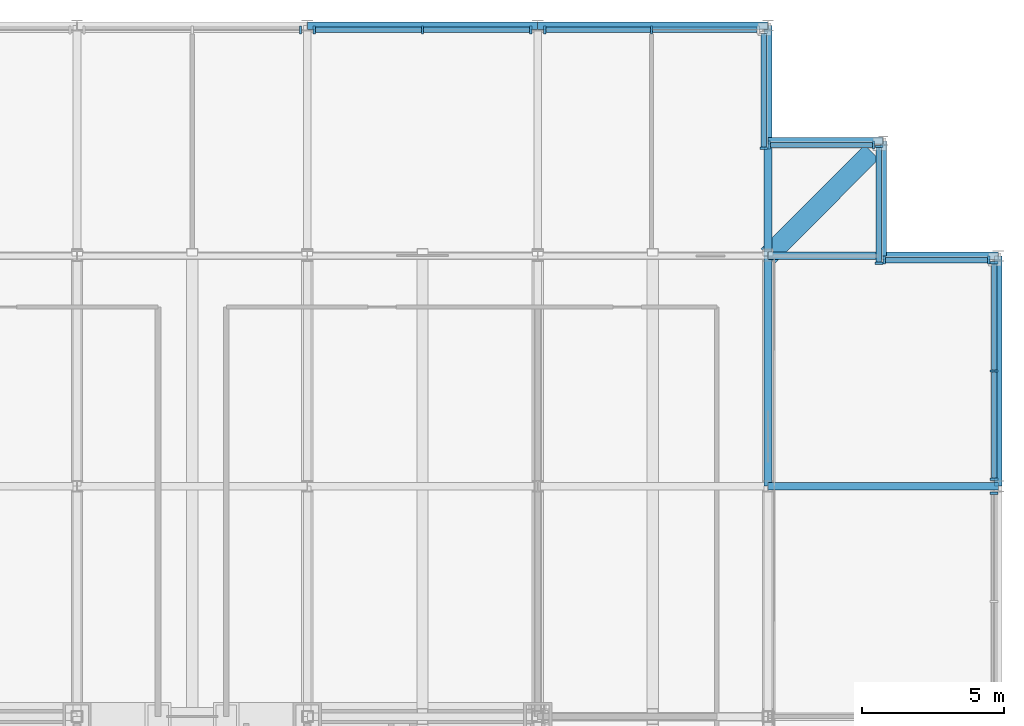
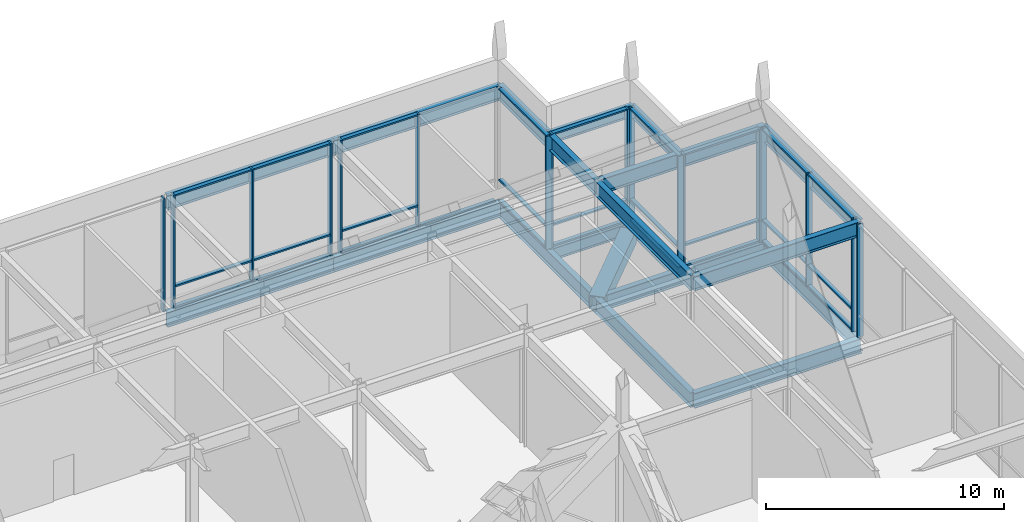
# One storey, part 12 of 22: 45 members, 19 beams, 9 elements without a shape of their own.
"""IFC4 building model written with IfcOpenShell, lengths in metres."""

import ifcopenshell
import ifcopenshell.guid

model = None  # the IFC model being written
_history = None  # IfcOwnerHistory: only IFC2X3 demands one
_inside = {}  # id of a spatial element -> (the spatial element, [elements in it])
_under = {}  # id of a project, library or spatial element -> (it, [spatial elements below it])
_declared = {}  # id of a project -> (the project, [libraries it declares])
_typed = {}  # id of a type object -> (the type object, [elements of that type])
_made_of = {}  # id of a material, layer set ... -> (it, [elements and type objects made of it])


def new_model(schema):
    """Start an empty IFC model of exactly this schema.

    Asked for "IFC4X3", IfcOpenShell would pick the latest addendum, in which some entities
    have other attributes; the version numbers below select the first issue.
    IFC2X3 requires an IfcOwnerHistory on every rooted entity: one is made here for all.
    """
    global model, _history
    if schema == "IFC4X3":
        model = ifcopenshell.file(schema_version=(4, 3, 0, 0))
    else:
        model = ifcopenshell.file(schema=schema)
    _inside.clear()
    _under.clear()
    _declared.clear()
    _typed.clear()
    _made_of.clear()
    _history = None
    if model.schema == "IFC2X3":
        org = make("IfcOrganization", Name="unknown")
        user = make(
            "IfcPersonAndOrganization",
            ThePerson=make("IfcPerson", FamilyName="unknown"),
            TheOrganization=org,
        )
        app = make(
            "IfcApplication",
            ApplicationDeveloper=org,
            Version="unknown",
            ApplicationFullName="unknown",
            ApplicationIdentifier="unknown",
        )
        _history = make(
            "IfcOwnerHistory",
            OwningUser=user,
            OwningApplication=app,
            ChangeAction="ADDED",
            CreationDate=0,
        )
    return model


def make(cls, **values):
    """One entity of the class cls with the attributes given. An attribute that is None is left unset."""
    return model.create_entity(
        cls, **{name: value for name, value in values.items() if value is not None}
    )


def rooted(cls, **values):
    """An entity with a GlobalId (a new one), such as an element, a storey or a relation."""
    return make(cls, GlobalId=ifcopenshell.guid.new(), OwnerHistory=_history, **values)


def si_unit(unit_type, name, prefix=None):
    """IfcSIUnit, for example si_unit("LENGTHUNIT", "METRE", prefix="MILLI")."""
    return make("IfcSIUnit", UnitType=unit_type, Prefix=prefix, Name=name)


def assignment(units):
    """IfcUnitAssignment: the units of a project."""
    return None if units is None else make("IfcUnitAssignment", Units=units)


def point(xyz):
    """IfcCartesianPoint."""
    return None if xyz is None else make("IfcCartesianPoint", Coordinates=xyz)


def direction(xyz):
    """IfcDirection."""
    return None if xyz is None else make("IfcDirection", DirectionRatios=xyz)


def frame(location, z_axis=None, x_axis=None):
    """IfcAxis2Placement3D, a coordinate frame: its origin and axes. An axis left out is left unset."""
    return make(
        "IfcAxis2Placement3D",
        Location=point(location),
        Axis=direction(z_axis),
        RefDirection=direction(x_axis),
    )


def frame_2d(location, x_axis=None):
    """IfcAxis2Placement2D, a coordinate frame in the plane: its origin and x axis."""
    return make(
        "IfcAxis2Placement2D", Location=point(location), RefDirection=direction(x_axis)
    )


def origin():
    """The frame at (0, 0, 0) with its axes left unset."""
    return frame((0.0, 0.0, 0.0))


def origin_2d():
    """The frame at (0, 0) in the plane with its x axis left unset."""
    return frame_2d((0.0, 0.0))


def place(relative_to, where):
    """IfcLocalPlacement: puts the frame where relative to a parent placement (None: the world)."""
    return make(
        "IfcLocalPlacement", PlacementRelTo=relative_to, RelativePlacement=where
    )


def context(
    kind, dimensions, precision=None, world=None, true_north=None, identifier=None
):
    """IfcGeometricRepresentationContext, for example the 3D "Model" context."""
    return make(
        "IfcGeometricRepresentationContext",
        ContextIdentifier=identifier,
        ContextType=kind,
        CoordinateSpaceDimension=dimensions,
        Precision=precision,
        WorldCoordinateSystem=world,
        TrueNorth=true_north,
    )


def subcontext(parent, identifier, kind, view, scale=None):
    """IfcGeometricRepresentationSubContext, for example "Body" below "Model"."""
    return make(
        "IfcGeometricRepresentationSubContext",
        ContextIdentifier=identifier,
        ContextType=kind,
        ParentContext=parent,
        TargetScale=scale,
        TargetView=view,
    )


def project(units=None, contexts=None):
    """IfcProject with its units and contexts."""
    return rooted(
        "IfcProject",
        Name="project",
        RepresentationContexts=contexts,
        UnitsInContext=assignment(units),
    )


def spatial(cls, under=None, at=None, **own):
    """A site, building, storey or space (cls), placed at a placement, below another one or the project."""
    s = rooted(cls, ObjectPlacement=at, **own)
    if under is not None:
        _under.setdefault(under.id(), (under, []))[1].append(s)
    return s


def profile(cls, at=None, kind="AREA", **sizes):
    """A parametric profile (cls). Its sizes go by their IFC names, for example OverallWidth=200.0."""
    return make(cls, ProfileType=kind, Position=at, **sizes)


def rectangle(**sizes):
    """IfcRectangleProfileDef."""
    return profile("IfcRectangleProfileDef", **sizes)


def hollow_rectangle(**sizes):
    """IfcRectangleHollowProfileDef."""
    return profile("IfcRectangleHollowProfileDef", **sizes)


def i_section(**sizes):
    """IfcIShapeProfileDef."""
    return profile("IfcIShapeProfileDef", **sizes)


def extrude(swept, where, along, depth):
    """IfcExtrudedAreaSolid: the profile swept, set in the frame where, extruded along a direction by depth."""
    return make(
        "IfcExtrudedAreaSolid",
        SweptArea=swept,
        Position=where,
        ExtrudedDirection=direction(along),
        Depth=depth,
    )


def shape(context_of_items, identifier, shape_type, items):
    """IfcShapeRepresentation: the items that make up one representation, for example the "Body"."""
    return make(
        "IfcShapeRepresentation",
        ContextOfItems=context_of_items,
        RepresentationIdentifier=identifier,
        RepresentationType=shape_type,
        Items=items,
    )


def material(Name=None, Category=None):
    """IfcMaterial."""
    return make("IfcMaterial", Name=Name, Category=Category)


def material_profile(
    of_material, cross_section, Name=None, Category=None, Priority=None
):
    """IfcMaterialProfile: a cross section and its material."""
    return make(
        "IfcMaterialProfile",
        Name=Name,
        Material=of_material,
        Profile=cross_section,
        Priority=Priority,
        Category=Category,
    )


def profile_set(profiles, Name=None, composite=None):
    """IfcMaterialProfileSet."""
    return make(
        "IfcMaterialProfileSet",
        Name=Name,
        MaterialProfiles=profiles,
        CompositeProfile=composite,
    )


def made_of(thing, what):
    """Note that an element or type object is made of a material, layer set ...; save() writes the relation."""
    if what is not None:
        _made_of.setdefault(what.id(), (what, []))[1].append(thing)
    return thing


def type_object(cls, material=None, **own):
    """A type object (cls), such as IfcWallType, which elements share."""
    return made_of(rooted(cls, **own), material)


def element(
    cls,
    number,
    at=None,
    inside=None,
    cuts=None,
    type_object=None,
    material=None,
    context=None,
    identifier="Body",
    shape_type=None,
    held_by="IfcProductDefinitionShape",
    body=None,
    shapes=None,
    **own,
):
    """One element of the class cls, such as IfcWall. Its Tag is "e" and its number.

    at: its placement. inside: the storey or other place that contains it. cuts: it is an
    opening in that element (IfcRelVoidsElement). A single representation is given by context,
    identifier, shape_type and body (its items); several are given by shapes. held_by: the class
    of the entity that holds the representations. save() writes the other relations.
    """
    e = rooted(cls, Tag="e%d" % number, ObjectPlacement=at, **own)
    if body is not None:
        shapes = [shape(context, identifier, shape_type, body)]
    if shapes is not None:
        e.Representation = make(held_by, Representations=shapes)
    if inside is not None:
        _inside.setdefault(inside.id(), (inside, []))[1].append(e)
    if cuts is not None:
        rooted(
            "IfcRelVoidsElement", RelatingBuildingElement=cuts, RelatedOpeningElement=e
        )
    if type_object is not None:
        _typed.setdefault(type_object.id(), (type_object, []))[1].append(e)
    return made_of(e, material)


def aggregate(whole, parts):
    """IfcRelAggregates: a whole, such as a stair, and the parts it consists of."""
    return rooted("IfcRelAggregates", RelatingObject=whole, RelatedObjects=parts)


def save(model, path):
    """Write the relations noted so far, then the file.

    IfcRelAggregates (storeys below a building ...), IfcRelContainedInSpatialStructure (elements
    in a storey), IfcRelDefinesByType, IfcRelAssociatesMaterial and IfcRelDeclares: one each for
    every whole, place, type object, material and project.
    """
    for whole, parts in _under.values():
        aggregate(whole, parts)
    for where, things in _inside.values():
        rooted(
            "IfcRelContainedInSpatialStructure",
            RelatedElements=things,
            RelatingStructure=where,
        )
    for kind, things in _typed.values():
        rooted("IfcRelDefinesByType", RelatedObjects=things, RelatingType=kind)
    for what, things in _made_of.values():
        rooted("IfcRelAssociatesMaterial", RelatedObjects=things, RelatingMaterial=what)
    for by, libraries in _declared.values():
        rooted("IfcRelDeclares", RelatingContext=by, RelatedDefinitions=libraries)
    model.write(path)


model = new_model("IFC4")

# Units and contexts
model_context = context("Model", 3, precision=1e-05, world=origin(), true_north=direction((0.0, 1.0)))
body_context = subcontext(model_context, "Body", "Model", "MODEL_VIEW")
ifc_project = project(units=[si_unit("LENGTHUNIT", "METRE"), si_unit("AREAUNIT", "SQUARE_METRE"), si_unit("VOLUMEUNIT", "CUBIC_METRE"), si_unit("PLANEANGLEUNIT", "RADIAN"), si_unit("MASSUNIT", "GRAM", prefix="KILO")], contexts=[model_context])

# Site, building, storey
site_placement = place(None, origin())
site = spatial("IfcSite", under=ifc_project, at=site_placement, CompositionType="ELEMENT")
building_placement = place(site_placement, origin())
building = spatial("IfcBuilding", under=site, at=building_placement, Name="Kopane Lantern Tower", CompositionType="ELEMENT")
storey_placement = place(building_placement, frame((0.0, 0.0, 303.89990234375)))
storey = spatial("IfcBuildingStorey", under=building, at=storey_placement, Name="L77", CompositionType="ELEMENT", Elevation=303.89990234375)

# Beams
ifc_material_1 = material(Name="Steel S355JR", Category="steel")
ifc_material_profile_1 = material_profile(ifc_material_1, hollow_rectangle(XDim=0.699951171875, YDim=0.699951171875, WallThickness=0.06005859375, at=origin_2d()), Name="BOX 700x700x60")
ifc_profile_set_1 = profile_set([ifc_material_profile_1], Name="Steel S355JR")
beam_type_1 = type_object("IfcBeamType", Name="CORNER TIE BEAM BOX 700x700x60", PredefinedType="BEAM", material=ifc_profile_set_1)
beam_1_placement = place(storey_placement, frame((52.25244140625, 60.3525390625, -0.559814453125), z_axis=(-0.707083148333, -0.70713041325, 0.0), x_axis=(0.70713041325, -0.707083148333, 0.0)))
element("IfcBeam", 1, at=beam_1_placement, inside=storey, type_object=beam_type_1, Name="Corner Tie Beam L77", PredefinedType="BEAM", context=body_context, shape_type="SweptSolid", body=[
    extrude(hollow_rectangle(XDim=0.699951171875, YDim=0.699951171875, WallThickness=0.06005859375, at=origin_2d()), origin(), (0.0, 0.0, 1.0), 5.165283203125),
])
ifc_material_2 = material(Name="Steel S355JR", Category="steel")
ifc_material_profile_2 = material_profile(ifc_material_2, i_section(OverallWidth=0.22900390625, OverallDepth=0.6123046875, WebThickness=0.011962890625, FlangeThickness=0.01953125, FilletRadius=0.0126953125, at=origin_2d()), Name="UB 610x229x125")
ifc_profile_set_2 = profile_set([ifc_material_profile_2], Name="Steel S355JR")
beam_type_2 = type_object("IfcBeamType", Name="EDGE BEAM UB 610x229x125", PredefinedType="BEAM", material=ifc_profile_set_2)
for number, where, z_axis, x_axis, name in (
    (2, (52.496337890625, 60.75, -0.51611328125), (-1.0, 0.0, 0.0), (0.0, -1.0, 0.0), "Edge Beam L77"),
    (3, (52.64990234375, 60.59619140625, -0.51611328125), (0.0, -1.0, 0.0), (1.0, 0.0, 0.0), "Edge Beam L77"),
):
    element("IfcBeam", number, at=place(storey_placement, frame(where, z_axis=z_axis, x_axis=x_axis)), inside=storey, type_object=beam_type_2, Name=name, PredefinedType="BEAM", context=body_context, shape_type="SweptSolid", body=[
        extrude(i_section(OverallWidth=0.22900390625, OverallDepth=0.6123046875, WebThickness=0.011962890625, FlangeThickness=0.01953125, FilletRadius=0.0126953125, at=origin_2d()), origin(), (0.0, 0.0, 1.0), 3.896240234375),
    ])
beam_2_placement = place(storey_placement, frame((52.64990234375, 60.75, 5.493896484375), z_axis=(-1.0, 0.0, 0.0), x_axis=(0.0, -1.0, 0.0)))
element("IfcBeam", 4, at=beam_2_placement, inside=storey, type_object=beam_type_2, Name="Edge Beam roof", PredefinedType="BEAM", context=body_context, shape_type="SweptSolid", body=[
    extrude(i_section(OverallWidth=0.22900390625, OverallDepth=0.6123046875, WebThickness=0.011962890625, FlangeThickness=0.01953125, FilletRadius=0.0126953125, at=origin_2d()), origin(), (0.0, 0.0, 1.0), 4.0498046875),
])
beam_3_placement = place(storey_placement, frame((52.64990234375, 60.75, 5.493896484375), z_axis=(0.0, -1.0, 0.0), x_axis=(1.0, 0.0, 0.0)))
element("IfcBeam", 5, at=beam_3_placement, inside=storey, type_object=beam_type_2, Name="Edge Beam roof", PredefinedType="BEAM", context=body_context, shape_type="SweptSolid", body=[
    extrude(i_section(OverallWidth=0.22900390625, OverallDepth=0.6123046875, WebThickness=0.011962890625, FlangeThickness=0.01953125, FilletRadius=0.0126953125, at=origin_2d()), origin(), (0.0, 0.0, 1.0), 4.050048828125),
])
ifc_material_3 = material(Name="Steel S355JR", Category="steel")
ifc_material_profile_3 = material_profile(ifc_material_3, i_section(OverallWidth=0.2666015625, OverallDepth=0.76220703125, WebThickness=0.014404296875, FlangeThickness=0.021484375, FilletRadius=0.0166015625, at=origin_2d()), Name="UB 762x267x173")
ifc_profile_set_3 = profile_set([ifc_material_profile_3], Name="Steel S355JR")
beam_type_3 = type_object("IfcBeamType", Name="GIRDER UB 762x267x173", PredefinedType="BEAM", material=ifc_profile_set_3)
for number, where, z_axis, x_axis, name in (
    (6, (32.39990234375, 64.800048828125, -0.591064453125), (1.0, 0.0, 0.0), (0.0, 1.0, 0.0), "Girder L77"),
    (7, (40.5, 64.800048828125, -0.591064453125), (1.0, 0.0, 0.0), (0.0, 1.0, 0.0), "Girder L77"),
):
    element("IfcBeam", number, at=place(storey_placement, frame(where, z_axis=z_axis, x_axis=x_axis)), inside=storey, type_object=beam_type_3, Name=name, PredefinedType="BEAM", context=body_context, shape_type="SweptSolid", body=[
        extrude(i_section(OverallWidth=0.2666015625, OverallDepth=0.76220703125, WebThickness=0.014404296875, FlangeThickness=0.021484375, FilletRadius=0.0166015625, at=origin_2d()), origin(), (0.0, 0.0, 1.0), 8.10009765625),
    ])
for number, where, z_axis, x_axis, name in (
    (8, (48.60009765625, 48.60009765625, -0.591064453125), (0.0, 1.0, 0.0), (-1.0, 0.0, 0.0), "Girder L77"),
    (9, (48.60009765625, 48.60009765625, -0.591064453125), (1.0, 0.0, 0.0), (0.0, 1.0, 0.0), "Girder L77"),
):
    element("IfcBeam", number, at=place(storey_placement, frame(where, z_axis=z_axis, x_axis=x_axis)), inside=storey, type_object=beam_type_3, Name=name, PredefinedType="BEAM", context=body_context, shape_type="SweptSolid", body=[
        extrude(i_section(OverallWidth=0.2666015625, OverallDepth=0.76220703125, WebThickness=0.014404296875, FlangeThickness=0.021484375, FilletRadius=0.0166015625, at=origin_2d()), origin(), (0.0, 0.0, 1.0), 8.099853515625),
    ])
beam_4_placement = place(storey_placement, frame((48.60009765625, 56.699951171875, -0.591064453125), z_axis=(0.0, 1.0, 0.0), x_axis=(-1.0, 0.0, 0.0)))
element("IfcBeam", 10, at=beam_4_placement, inside=storey, type_object=beam_type_3, Name="Girder L77", PredefinedType="BEAM", context=body_context, shape_type="SweptSolid", body=[
    extrude(i_section(OverallWidth=0.2666015625, OverallDepth=0.76220703125, WebThickness=0.014404296875, FlangeThickness=0.021484375, FilletRadius=0.0166015625, at=origin_2d()), origin(), (0.0, 0.0, 1.0), 8.10009765625),
])
for number, where, z_axis, x_axis, name in (
    (11, (48.60009765625, 56.699951171875, -0.591064453125), (1.0, 0.0, 0.0), (0.0, 1.0, 0.0), "Girder L77"),
    (12, (56.699951171875, 48.60009765625, -0.591064453125), (0.0, 1.0, 0.0), (-1.0, 0.0, 0.0), "Girder L77"),
):
    element("IfcBeam", number, at=place(storey_placement, frame(where, z_axis=z_axis, x_axis=x_axis)), inside=storey, type_object=beam_type_3, Name=name, PredefinedType="BEAM", context=body_context, shape_type="SweptSolid", body=[
        extrude(i_section(OverallWidth=0.2666015625, OverallDepth=0.76220703125, WebThickness=0.014404296875, FlangeThickness=0.021484375, FilletRadius=0.0166015625, at=origin_2d()), origin(), (0.0, 0.0, 1.0), 8.099853515625),
    ])

# Curtain wall, member
ifc_material_4 = material(Name="Aluminium and clear glass", Category="aluminium")
curtain_wall_type = type_object("IfcCurtainWallType", Name="CURTAIN WALL CW6 LANTERN CROWN", PredefinedType="USERDEFINED", material=ifc_material_4)
curtain_wall_1_placement = place(storey_placement, origin())
curtain_wall_1 = element("IfcCurtainWall", 13, at=curtain_wall_1_placement, inside=storey, type_object=curtain_wall_type, Name="Curtain wall CW6 E L77", ObjectType="CURTAIN WALL", PredefinedType="USERDEFINED")
ifc_material_5 = material(Name="Aluminium", Category="aluminium")
ifc_material_profile_4 = material_profile(ifc_material_5, rectangle(XDim=0.080078125, YDim=0.280029296875, at=origin_2d()), Name="AL 80x280")
ifc_profile_set_4 = profile_set([ifc_material_profile_4], Name="Aluminium")
member_type_1 = type_object("IfcMemberType", Name="MULLION CW6-M 80x280", PredefinedType="MULLION", material=ifc_profile_set_4)
member_1_placement = place(storey_placement, frame((56.550048828125, 48.358154296875, 0.0), z_axis=(0.0, 0.0, 1.0), x_axis=(0.0, 1.0, 0.0)))
member_1 = element("IfcMember", 14, at=member_1_placement, type_object=member_type_1, Name="CW6 mullion 3", PredefinedType="MULLION", context=body_context, shape_type="SweptSolid", body=[
    extrude(rectangle(XDim=0.080078125, YDim=0.280029296875, at=origin_2d()), origin(), (0.0, 0.0, 1.0), 5.800048828125),
])
aggregate(curtain_wall_1, [member_1])

# Curtain wall, members
curtain_wall_2_placement = place(storey_placement, origin())
curtain_wall_2 = element("IfcCurtainWall", 15, at=curtain_wall_2_placement, inside=storey, type_object=curtain_wall_type, Name="Curtain wall CW6 E L77", ObjectType="CURTAIN WALL", PredefinedType="USERDEFINED")
member_2_placement = place(storey_placement, frame((56.550048828125, 48.841796875, 0.0), z_axis=(0.0, 0.0, 1.0), x_axis=(0.0, 1.0, 0.0)))
member_2 = element("IfcMember", 16, at=member_2_placement, type_object=member_type_1, Name="CW6 mullion 1", PredefinedType="MULLION", context=body_context, shape_type="SweptSolid", body=[
    extrude(rectangle(XDim=0.080078125, YDim=0.280029296875, at=origin_2d()), origin(), (0.0, 0.0, 1.0), 5.800048828125),
])
member_3_placement = place(storey_placement, frame((56.550048828125, 52.64990234375, 0.0), z_axis=(0.0, 0.0, 1.0), x_axis=(0.0, 1.0, 0.0)))
member_3 = element("IfcMember", 17, at=member_3_placement, type_object=member_type_1, Name="CW6 mullion 2", PredefinedType="MULLION", context=body_context, shape_type="SweptSolid", body=[
    extrude(rectangle(XDim=0.080078125, YDim=0.280029296875, at=origin_2d()), origin(), (0.0, 0.0, 1.0), 5.800048828125),
])
member_4_placement = place(storey_placement, frame((56.550048828125, 56.458251953125, 0.0), z_axis=(0.0, 0.0, 1.0), x_axis=(0.0, 1.0, 0.0)))
member_4 = element("IfcMember", 18, at=member_4_placement, type_object=member_type_1, Name="CW6 mullion 3", PredefinedType="MULLION", context=body_context, shape_type="SweptSolid", body=[
    extrude(rectangle(XDim=0.080078125, YDim=0.280029296875, at=origin_2d()), origin(), (0.0, 0.0, 1.0), 5.800048828125),
])

curtain_wall_3_placement = place(storey_placement, origin())
curtain_wall_3 = element("IfcCurtainWall", 19, at=curtain_wall_3_placement, inside=storey, type_object=curtain_wall_type, Name="Curtain wall CW6 N L77", ObjectType="CURTAIN WALL", PredefinedType="USERDEFINED")
member_5_placement = place(storey_placement, frame((56.360107421875, 56.550048828125, 0.0), z_axis=(0.0, 0.0, 1.0), x_axis=(-1.0, 0.0, 0.0)))
member_5 = element("IfcMember", 20, at=member_5_placement, type_object=member_type_1, Name="CW6 mullion 1", PredefinedType="MULLION", context=body_context, shape_type="SweptSolid", body=[
    extrude(rectangle(XDim=0.080078125, YDim=0.280029296875, at=origin_2d()), origin(), (0.0, 0.0, 1.0), 5.800048828125),
])
member_6_placement = place(storey_placement, frame((52.68994140625, 56.550048828125, 0.0), z_axis=(0.0, 0.0, 1.0), x_axis=(-1.0, 0.0, 0.0)))
member_6 = element("IfcMember", 21, at=member_6_placement, type_object=member_type_1, Name="CW6 mullion 2", PredefinedType="MULLION", context=body_context, shape_type="SweptSolid", body=[
    extrude(rectangle(XDim=0.080078125, YDim=0.280029296875, at=origin_2d()), origin(), (0.0, 0.0, 1.0), 5.800048828125),
])

curtain_wall_4_placement = place(storey_placement, origin())
curtain_wall_4 = element("IfcCurtainWall", 22, at=curtain_wall_4_placement, inside=storey, type_object=curtain_wall_type, Name="Curtain wall CW6 E L77", ObjectType="CURTAIN WALL", PredefinedType="USERDEFINED")
member_7_placement = place(storey_placement, frame((52.5, 56.43994140625, 0.0), z_axis=(0.0, 0.0, 1.0), x_axis=(0.0, 1.0, 0.0)))
member_7 = element("IfcMember", 23, at=member_7_placement, type_object=member_type_1, Name="CW6 mullion 1", PredefinedType="MULLION", context=body_context, shape_type="SweptSolid", body=[
    extrude(rectangle(XDim=0.080078125, YDim=0.280029296875, at=origin_2d()), origin(), (0.0, 0.0, 1.0), 5.800048828125),
])
member_8_placement = place(storey_placement, frame((52.5, 60.547607421875, 0.0), z_axis=(0.0, 0.0, 1.0), x_axis=(0.0, 1.0, 0.0)))
member_8 = element("IfcMember", 24, at=member_8_placement, type_object=member_type_1, Name="CW6 mullion 2", PredefinedType="MULLION", context=body_context, shape_type="SweptSolid", body=[
    extrude(rectangle(XDim=0.080078125, YDim=0.280029296875, at=origin_2d()), origin(), (0.0, 0.0, 1.0), 5.800048828125),
])

curtain_wall_5_placement = place(storey_placement, origin())
curtain_wall_5 = element("IfcCurtainWall", 25, at=curtain_wall_5_placement, inside=storey, type_object=curtain_wall_type, Name="Curtain wall CW6 N L77", ObjectType="CURTAIN WALL", PredefinedType="USERDEFINED")
member_9_placement = place(storey_placement, frame((52.31005859375, 60.60009765625, 0.0), z_axis=(0.0, 0.0, 1.0), x_axis=(-1.0, 0.0, 0.0)))
member_9 = element("IfcMember", 26, at=member_9_placement, type_object=member_type_1, Name="CW6 mullion 1", PredefinedType="MULLION", context=body_context, shape_type="SweptSolid", body=[
    extrude(rectangle(XDim=0.080078125, YDim=0.280029296875, at=origin_2d()), origin(), (0.0, 0.0, 1.0), 5.800048828125),
])
member_10_placement = place(storey_placement, frame((48.639892578125, 60.60009765625, 0.0), z_axis=(0.0, 0.0, 1.0), x_axis=(-1.0, 0.0, 0.0)))
member_10 = element("IfcMember", 27, at=member_10_placement, type_object=member_type_1, Name="CW6 mullion 2", PredefinedType="MULLION", context=body_context, shape_type="SweptSolid", body=[
    extrude(rectangle(XDim=0.080078125, YDim=0.280029296875, at=origin_2d()), origin(), (0.0, 0.0, 1.0), 5.800048828125),
])

# Curtain wall, member
curtain_wall_6_placement = place(storey_placement, origin())
curtain_wall_6 = element("IfcCurtainWall", 28, at=curtain_wall_6_placement, inside=storey, type_object=curtain_wall_type, Name="Curtain wall CW6 E L77", ObjectType="CURTAIN WALL", PredefinedType="USERDEFINED")
member_11_placement = place(storey_placement, frame((48.449951171875, 60.489990234375, 0.0), z_axis=(0.0, 0.0, 1.0), x_axis=(0.0, 1.0, 0.0)))
member_11 = element("IfcMember", 29, at=member_11_placement, type_object=member_type_1, Name="CW6 mullion 1", PredefinedType="MULLION", context=body_context, shape_type="SweptSolid", body=[
    extrude(rectangle(XDim=0.080078125, YDim=0.280029296875, at=origin_2d()), origin(), (0.0, 0.0, 1.0), 5.800048828125),
])

# Curtain wall, members
curtain_wall_7_placement = place(storey_placement, origin())
curtain_wall_7 = element("IfcCurtainWall", 30, at=curtain_wall_7_placement, inside=storey, type_object=curtain_wall_type, Name="Curtain wall CW6 N L77", ObjectType="CURTAIN WALL", PredefinedType="USERDEFINED")
member_12_placement = place(storey_placement, frame((44.502197265625, 64.64990234375, 0.0), z_axis=(0.0, 0.0, 1.0), x_axis=(-1.0, 0.0, 0.0)))
member_12 = element("IfcMember", 31, at=member_12_placement, type_object=member_type_1, Name="CW6 mullion 2", PredefinedType="MULLION", context=body_context, shape_type="SweptSolid", body=[
    extrude(rectangle(XDim=0.080078125, YDim=0.280029296875, at=origin_2d()), origin(), (0.0, 0.0, 1.0), 5.800048828125),
])
member_13_placement = place(storey_placement, frame((40.744384765625, 64.64990234375, 0.0), z_axis=(0.0, 0.0, 1.0), x_axis=(-1.0, 0.0, 0.0)))
member_13 = element("IfcMember", 32, at=member_13_placement, type_object=member_type_1, Name="CW6 mullion 3", PredefinedType="MULLION", context=body_context, shape_type="SweptSolid", body=[
    extrude(rectangle(XDim=0.080078125, YDim=0.280029296875, at=origin_2d()), origin(), (0.0, 0.0, 1.0), 5.800048828125),
])

curtain_wall_8_placement = place(storey_placement, origin())
curtain_wall_8 = element("IfcCurtainWall", 33, at=curtain_wall_8_placement, inside=storey, type_object=curtain_wall_type, Name="Curtain wall CW6 N L77", ObjectType="CURTAIN WALL", PredefinedType="USERDEFINED")
member_14_placement = place(storey_placement, frame((40.255615234375, 64.64990234375, 0.0), z_axis=(0.0, 0.0, 1.0), x_axis=(-1.0, 0.0, 0.0)))
member_14 = element("IfcMember", 34, at=member_14_placement, type_object=member_type_1, Name="CW6 mullion 1", PredefinedType="MULLION", context=body_context, shape_type="SweptSolid", body=[
    extrude(rectangle(XDim=0.080078125, YDim=0.280029296875, at=origin_2d()), origin(), (0.0, 0.0, 1.0), 5.800048828125),
])
member_15_placement = place(storey_placement, frame((36.449951171875, 64.64990234375, 0.0), z_axis=(0.0, 0.0, 1.0), x_axis=(-1.0, 0.0, 0.0)))
member_15 = element("IfcMember", 35, at=member_15_placement, type_object=member_type_1, Name="CW6 mullion 2", PredefinedType="MULLION", context=body_context, shape_type="SweptSolid", body=[
    extrude(rectangle(XDim=0.080078125, YDim=0.280029296875, at=origin_2d()), origin(), (0.0, 0.0, 1.0), 5.800048828125),
])
member_16_placement = place(storey_placement, frame((32.64453125, 64.64990234375, 0.0), z_axis=(0.0, 0.0, 1.0), x_axis=(-1.0, 0.0, 0.0)))
member_16 = element("IfcMember", 36, at=member_16_placement, type_object=member_type_1, Name="CW6 mullion 3", PredefinedType="MULLION", context=body_context, shape_type="SweptSolid", body=[
    extrude(rectangle(XDim=0.080078125, YDim=0.280029296875, at=origin_2d()), origin(), (0.0, 0.0, 1.0), 5.800048828125),
])

# Curtain wall, member
curtain_wall_9_placement = place(storey_placement, origin())
curtain_wall_9 = element("IfcCurtainWall", 37, at=curtain_wall_9_placement, inside=storey, type_object=curtain_wall_type, Name="Curtain wall CW6 N L77", ObjectType="CURTAIN WALL", PredefinedType="USERDEFINED")
member_17_placement = place(storey_placement, frame((32.155517578125, 64.64990234375, 0.0), z_axis=(0.0, 0.0, 1.0), x_axis=(-1.0, 0.0, 0.0)))
member_17 = element("IfcMember", 38, at=member_17_placement, type_object=member_type_1, Name="CW6 mullion 1", PredefinedType="MULLION", context=body_context, shape_type="SweptSolid", body=[
    extrude(rectangle(XDim=0.080078125, YDim=0.280029296875, at=origin_2d()), origin(), (0.0, 0.0, 1.0), 5.800048828125),
])
aggregate(curtain_wall_9, [member_17])

# Beams
ifc_material_6 = material(Name="Steel S355JR", Category="steel")
ifc_material_profile_5 = material_profile(ifc_material_6, i_section(OverallWidth=0.2666015625, OverallDepth=0.76220703125, WebThickness=0.014404296875, FlangeThickness=0.021484375, FilletRadius=0.0166015625, at=origin_2d()), Name="UB 762x267x173")
ifc_profile_set_5 = profile_set([ifc_material_profile_5], Name="Steel S355JR")
beam_type_4 = type_object("IfcBeamType", Name="ROOF GIRDER UB 762x267x173", PredefinedType="BEAM", material=ifc_profile_set_5)
beam_5_placement = place(storey_placement, frame((48.60009765625, 48.60009765625, 5.4189453125), z_axis=(0.0, 1.0, 0.0), x_axis=(-1.0, 0.0, 0.0)))
element("IfcBeam", 39, at=beam_5_placement, inside=storey, type_object=beam_type_4, Name="Roof Girder roof", PredefinedType="BEAM", context=body_context, shape_type="SweptSolid", body=[
    extrude(i_section(OverallWidth=0.2666015625, OverallDepth=0.76220703125, WebThickness=0.014404296875, FlangeThickness=0.021484375, FilletRadius=0.0166015625, at=origin_2d()), origin(), (0.0, 0.0, 1.0), 8.099853515625),
])
beam_6_placement = place(storey_placement, frame((48.60009765625, 56.699951171875, 5.4189453125), z_axis=(0.0, 1.0, 0.0), x_axis=(-1.0, 0.0, 0.0)))
element("IfcBeam", 40, at=beam_6_placement, inside=storey, type_object=beam_type_4, Name="Roof Girder roof", PredefinedType="BEAM", context=body_context, shape_type="SweptSolid", body=[
    extrude(i_section(OverallWidth=0.2666015625, OverallDepth=0.76220703125, WebThickness=0.014404296875, FlangeThickness=0.021484375, FilletRadius=0.0166015625, at=origin_2d()), origin(), (0.0, 0.0, 1.0), 8.10009765625),
])
for number, where, z_axis, x_axis, name in (
    (41, (56.699951171875, 48.60009765625, 5.4189453125), (0.0, 1.0, 0.0), (-1.0, 0.0, 0.0), "Roof Girder roof"),
    (42, (48.60009765625, 48.60009765625, 5.4189453125), (1.0, 0.0, 0.0), (0.0, 1.0, 0.0), "Roof Girder roof"),
    (43, (48.60009765625, 56.699951171875, 5.4189453125), (1.0, 0.0, 0.0), (0.0, 1.0, 0.0), "Roof Girder roof"),
):
    element("IfcBeam", number, at=place(storey_placement, frame(where, z_axis=z_axis, x_axis=x_axis)), inside=storey, type_object=beam_type_4, Name=name, PredefinedType="BEAM", context=body_context, shape_type="SweptSolid", body=[
        extrude(i_section(OverallWidth=0.2666015625, OverallDepth=0.76220703125, WebThickness=0.014404296875, FlangeThickness=0.021484375, FilletRadius=0.0166015625, at=origin_2d()), origin(), (0.0, 0.0, 1.0), 8.099853515625),
    ])
for number, where, z_axis, x_axis, name in (
    (44, (32.39990234375, 64.800048828125, 5.4189453125), (1.0, 0.0, 0.0), (0.0, 1.0, 0.0), "Roof Girder roof"),
    (45, (40.5, 64.800048828125, 5.4189453125), (1.0, 0.0, 0.0), (0.0, 1.0, 0.0), "Roof Girder roof"),
):
    element("IfcBeam", number, at=place(storey_placement, frame(where, z_axis=z_axis, x_axis=x_axis)), inside=storey, type_object=beam_type_4, Name=name, PredefinedType="BEAM", context=body_context, shape_type="SweptSolid", body=[
        extrude(i_section(OverallWidth=0.2666015625, OverallDepth=0.76220703125, WebThickness=0.014404296875, FlangeThickness=0.021484375, FilletRadius=0.0166015625, at=origin_2d()), origin(), (0.0, 0.0, 1.0), 8.10009765625),
    ])

# Member
ifc_material_7 = material(Name="Aluminium", Category="aluminium")
ifc_material_profile_6 = material_profile(ifc_material_7, rectangle(XDim=0.18994140625, YDim=0.080078125, at=origin_2d()), Name="AL 190x80")
ifc_profile_set_6 = profile_set([ifc_material_profile_6], Name="Aluminium")
member_type_2 = type_object("IfcMemberType", Name="TRANSOM CW6-T 80x190", PredefinedType="USERDEFINED", material=ifc_profile_set_6)
member_18_placement = place(storey_placement, frame((56.550048828125, 48.8818359375, 0.0400390625), z_axis=(0.0, 1.0, 0.0), x_axis=(-1.0, 0.0, 0.0)))
member_18 = element("IfcMember", 46, at=member_18_placement, type_object=member_type_2, Name="CW6 transom 1.1", ObjectType="TRANSOM", PredefinedType="USERDEFINED", context=body_context, shape_type="SweptSolid", body=[
    extrude(rectangle(XDim=0.18994140625, YDim=0.080078125, at=origin_2d()), origin(), (0.0, 0.0, 1.0), 3.728271484375),
])

member_19_placement = place(storey_placement, frame((56.550048828125, 48.8818359375, 1.10009765625), z_axis=(0.0, 1.0, 0.0), x_axis=(-1.0, 0.0, 0.0)))
member_19 = element("IfcMember", 47, at=member_19_placement, type_object=member_type_2, Name="CW6 transom 1.2", ObjectType="TRANSOM", PredefinedType="USERDEFINED", context=body_context, shape_type="SweptSolid", body=[
    extrude(rectangle(XDim=0.18994140625, YDim=0.080078125, at=origin_2d()), origin(), (0.0, 0.0, 1.0), 3.728271484375),
])

member_20_placement = place(storey_placement, frame((56.550048828125, 48.8818359375, 5.760009765625), z_axis=(0.0, 1.0, 0.0), x_axis=(-1.0, 0.0, 0.0)))
member_20 = element("IfcMember", 48, at=member_20_placement, type_object=member_type_2, Name="CW6 transom 1.3", ObjectType="TRANSOM", PredefinedType="USERDEFINED", context=body_context, shape_type="SweptSolid", body=[
    extrude(rectangle(XDim=0.18994140625, YDim=0.080078125, at=origin_2d()), origin(), (0.0, 0.0, 1.0), 3.728271484375),
])

member_21_placement = place(storey_placement, frame((56.550048828125, 52.68994140625, 0.0400390625), z_axis=(0.0, 1.0, 0.0), x_axis=(-1.0, 0.0, 0.0)))
member_21 = element("IfcMember", 49, at=member_21_placement, type_object=member_type_2, Name="CW6 transom 2.1", ObjectType="TRANSOM", PredefinedType="USERDEFINED", context=body_context, shape_type="SweptSolid", body=[
    extrude(rectangle(XDim=0.18994140625, YDim=0.080078125, at=origin_2d()), origin(), (0.0, 0.0, 1.0), 3.728271484375),
])

member_22_placement = place(storey_placement, frame((56.550048828125, 52.68994140625, 1.10009765625), z_axis=(0.0, 1.0, 0.0), x_axis=(-1.0, 0.0, 0.0)))
member_22 = element("IfcMember", 50, at=member_22_placement, type_object=member_type_2, Name="CW6 transom 2.2", ObjectType="TRANSOM", PredefinedType="USERDEFINED", context=body_context, shape_type="SweptSolid", body=[
    extrude(rectangle(XDim=0.18994140625, YDim=0.080078125, at=origin_2d()), origin(), (0.0, 0.0, 1.0), 3.728271484375),
])

member_23_placement = place(storey_placement, frame((56.550048828125, 52.68994140625, 5.760009765625), z_axis=(0.0, 1.0, 0.0), x_axis=(-1.0, 0.0, 0.0)))
member_23 = element("IfcMember", 51, at=member_23_placement, type_object=member_type_2, Name="CW6 transom 2.3", ObjectType="TRANSOM", PredefinedType="USERDEFINED", context=body_context, shape_type="SweptSolid", body=[
    extrude(rectangle(XDim=0.18994140625, YDim=0.080078125, at=origin_2d()), origin(), (0.0, 0.0, 1.0), 3.728271484375),
])

aggregate(curtain_wall_2, [member_2, member_3, member_4, member_18, member_19, member_20, member_21, member_22, member_23])

member_24_placement = place(storey_placement, frame((56.320068359375, 56.550048828125, 0.0400390625), z_axis=(-1.0, 0.0, 0.0), x_axis=(0.0, -1.0, 0.0)))
member_24 = element("IfcMember", 52, at=member_24_placement, type_object=member_type_2, Name="CW6 transom 1.1", ObjectType="TRANSOM", PredefinedType="USERDEFINED", context=body_context, shape_type="SweptSolid", body=[
    extrude(rectangle(XDim=0.18994140625, YDim=0.080078125, at=origin_2d()), origin(), (0.0, 0.0, 1.0), 3.590087890625),
])

member_25_placement = place(storey_placement, frame((56.320068359375, 56.550048828125, 1.10009765625), z_axis=(-1.0, 0.0, 0.0), x_axis=(0.0, -1.0, 0.0)))
member_25 = element("IfcMember", 53, at=member_25_placement, type_object=member_type_2, Name="CW6 transom 1.2", ObjectType="TRANSOM", PredefinedType="USERDEFINED", context=body_context, shape_type="SweptSolid", body=[
    extrude(rectangle(XDim=0.18994140625, YDim=0.080078125, at=origin_2d()), origin(), (0.0, 0.0, 1.0), 3.590087890625),
])

member_26_placement = place(storey_placement, frame((56.320068359375, 56.550048828125, 5.760009765625), z_axis=(-1.0, 0.0, 0.0), x_axis=(0.0, -1.0, 0.0)))
member_26 = element("IfcMember", 54, at=member_26_placement, type_object=member_type_2, Name="CW6 transom 1.3", ObjectType="TRANSOM", PredefinedType="USERDEFINED", context=body_context, shape_type="SweptSolid", body=[
    extrude(rectangle(XDim=0.18994140625, YDim=0.080078125, at=origin_2d()), origin(), (0.0, 0.0, 1.0), 3.590087890625),
])

aggregate(curtain_wall_3, [member_5, member_6, member_24, member_25, member_26])

member_27_placement = place(storey_placement, frame((52.5, 56.47998046875, 0.0400390625), z_axis=(0.0, 1.0, 0.0), x_axis=(-1.0, 0.0, 0.0)))
member_27 = element("IfcMember", 55, at=member_27_placement, type_object=member_type_2, Name="CW6 transom 1.1", ObjectType="TRANSOM", PredefinedType="USERDEFINED", context=body_context, shape_type="SweptSolid", body=[
    extrude(rectangle(XDim=0.18994140625, YDim=0.080078125, at=origin_2d()), origin(), (0.0, 0.0, 1.0), 4.02783203125),
])

member_28_placement = place(storey_placement, frame((52.5, 56.47998046875, 1.10009765625), z_axis=(0.0, 1.0, 0.0), x_axis=(-1.0, 0.0, 0.0)))
member_28 = element("IfcMember", 56, at=member_28_placement, type_object=member_type_2, Name="CW6 transom 1.2", ObjectType="TRANSOM", PredefinedType="USERDEFINED", context=body_context, shape_type="SweptSolid", body=[
    extrude(rectangle(XDim=0.18994140625, YDim=0.080078125, at=origin_2d()), origin(), (0.0, 0.0, 1.0), 4.02783203125),
])

member_29_placement = place(storey_placement, frame((52.5, 56.47998046875, 5.760009765625), z_axis=(0.0, 1.0, 0.0), x_axis=(-1.0, 0.0, 0.0)))
member_29 = element("IfcMember", 57, at=member_29_placement, type_object=member_type_2, Name="CW6 transom 1.3", ObjectType="TRANSOM", PredefinedType="USERDEFINED", context=body_context, shape_type="SweptSolid", body=[
    extrude(rectangle(XDim=0.18994140625, YDim=0.080078125, at=origin_2d()), origin(), (0.0, 0.0, 1.0), 4.02783203125),
])

aggregate(curtain_wall_4, [member_7, member_8, member_27, member_28, member_29])

member_30_placement = place(storey_placement, frame((52.27001953125, 60.60009765625, 0.0400390625), z_axis=(-1.0, 0.0, 0.0), x_axis=(0.0, -1.0, 0.0)))
member_30 = element("IfcMember", 58, at=member_30_placement, type_object=member_type_2, Name="CW6 transom 1.1", ObjectType="TRANSOM", PredefinedType="USERDEFINED", context=body_context, shape_type="SweptSolid", body=[
    extrude(rectangle(XDim=0.18994140625, YDim=0.080078125, at=origin_2d()), origin(), (0.0, 0.0, 1.0), 3.590087890625),
])

member_31_placement = place(storey_placement, frame((52.27001953125, 60.60009765625, 1.10009765625), z_axis=(-1.0, 0.0, 0.0), x_axis=(0.0, -1.0, 0.0)))
member_31 = element("IfcMember", 59, at=member_31_placement, type_object=member_type_2, Name="CW6 transom 1.2", ObjectType="TRANSOM", PredefinedType="USERDEFINED", context=body_context, shape_type="SweptSolid", body=[
    extrude(rectangle(XDim=0.18994140625, YDim=0.080078125, at=origin_2d()), origin(), (0.0, 0.0, 1.0), 3.590087890625),
])

member_32_placement = place(storey_placement, frame((52.27001953125, 60.60009765625, 5.760009765625), z_axis=(-1.0, 0.0, 0.0), x_axis=(0.0, -1.0, 0.0)))
member_32 = element("IfcMember", 60, at=member_32_placement, type_object=member_type_2, Name="CW6 transom 1.3", ObjectType="TRANSOM", PredefinedType="USERDEFINED", context=body_context, shape_type="SweptSolid", body=[
    extrude(rectangle(XDim=0.18994140625, YDim=0.080078125, at=origin_2d()), origin(), (0.0, 0.0, 1.0), 3.590087890625),
])

aggregate(curtain_wall_5, [member_9, member_10, member_30, member_31, member_32])

member_33_placement = place(storey_placement, frame((48.449951171875, 60.530029296875, 0.0400390625), z_axis=(0.0, 1.0, 0.0), x_axis=(-1.0, 0.0, 0.0)))
member_33 = element("IfcMember", 61, at=member_33_placement, type_object=member_type_2, Name="CW6 transom 1.1", ObjectType="TRANSOM", PredefinedType="USERDEFINED", context=body_context, shape_type="SweptSolid", body=[
    extrude(rectangle(XDim=0.18994140625, YDim=0.080078125, at=origin_2d()), origin(), (0.0, 0.0, 1.0), 3.98828125),
])

member_34_placement = place(storey_placement, frame((48.449951171875, 60.530029296875, 1.10009765625), z_axis=(0.0, 1.0, 0.0), x_axis=(-1.0, 0.0, 0.0)))
member_34 = element("IfcMember", 62, at=member_34_placement, type_object=member_type_2, Name="CW6 transom 1.2", ObjectType="TRANSOM", PredefinedType="USERDEFINED", context=body_context, shape_type="SweptSolid", body=[
    extrude(rectangle(XDim=0.18994140625, YDim=0.080078125, at=origin_2d()), origin(), (0.0, 0.0, 1.0), 3.98828125),
])

member_35_placement = place(storey_placement, frame((48.449951171875, 60.530029296875, 5.760009765625), z_axis=(0.0, 1.0, 0.0), x_axis=(-1.0, 0.0, 0.0)))
member_35 = element("IfcMember", 63, at=member_35_placement, type_object=member_type_2, Name="CW6 transom 1.3", ObjectType="TRANSOM", PredefinedType="USERDEFINED", context=body_context, shape_type="SweptSolid", body=[
    extrude(rectangle(XDim=0.18994140625, YDim=0.080078125, at=origin_2d()), origin(), (0.0, 0.0, 1.0), 3.98828125),
])

aggregate(curtain_wall_6, [member_11, member_33, member_34, member_35])

member_36_placement = place(storey_placement, frame((48.219970703125, 64.64990234375, 0.0400390625), z_axis=(-1.0, 0.0, 0.0), x_axis=(0.0, -1.0, 0.0)))
member_36 = element("IfcMember", 64, at=member_36_placement, type_object=member_type_2, Name="CW6 transom 1.1", ObjectType="TRANSOM", PredefinedType="USERDEFINED", context=body_context, shape_type="SweptSolid", body=[
    extrude(rectangle(XDim=0.18994140625, YDim=0.080078125, at=origin_2d()), origin(), (0.0, 0.0, 1.0), 3.677734375),
])

member_37_placement = place(storey_placement, frame((44.462158203125, 64.64990234375, 0.0400390625), z_axis=(-1.0, 0.0, 0.0), x_axis=(0.0, -1.0, 0.0)))
member_37 = element("IfcMember", 65, at=member_37_placement, type_object=member_type_2, Name="CW6 transom 2.1", ObjectType="TRANSOM", PredefinedType="USERDEFINED", context=body_context, shape_type="SweptSolid", body=[
    extrude(rectangle(XDim=0.18994140625, YDim=0.080078125, at=origin_2d()), origin(), (0.0, 0.0, 1.0), 3.677734375),
])

member_38_placement = place(storey_placement, frame((44.462158203125, 64.64990234375, 1.10009765625), z_axis=(-1.0, 0.0, 0.0), x_axis=(0.0, -1.0, 0.0)))
member_38 = element("IfcMember", 66, at=member_38_placement, type_object=member_type_2, Name="CW6 transom 2.2", ObjectType="TRANSOM", PredefinedType="USERDEFINED", context=body_context, shape_type="SweptSolid", body=[
    extrude(rectangle(XDim=0.18994140625, YDim=0.080078125, at=origin_2d()), origin(), (0.0, 0.0, 1.0), 3.677734375),
])

member_39_placement = place(storey_placement, frame((44.462158203125, 64.64990234375, 5.760009765625), z_axis=(-1.0, 0.0, 0.0), x_axis=(0.0, -1.0, 0.0)))
member_39 = element("IfcMember", 67, at=member_39_placement, type_object=member_type_2, Name="CW6 transom 2.3", ObjectType="TRANSOM", PredefinedType="USERDEFINED", context=body_context, shape_type="SweptSolid", body=[
    extrude(rectangle(XDim=0.18994140625, YDim=0.080078125, at=origin_2d()), origin(), (0.0, 0.0, 1.0), 3.677734375),
])

aggregate(curtain_wall_7, [member_12, member_13, member_36, member_37, member_38, member_39])

member_40_placement = place(storey_placement, frame((40.215576171875, 64.64990234375, 0.0400390625), z_axis=(-1.0, 0.0, 0.0), x_axis=(0.0, -1.0, 0.0)))
member_40 = element("IfcMember", 68, at=member_40_placement, type_object=member_type_2, Name="CW6 transom 1.1", ObjectType="TRANSOM", PredefinedType="USERDEFINED", context=body_context, shape_type="SweptSolid", body=[
    extrude(rectangle(XDim=0.18994140625, YDim=0.080078125, at=origin_2d()), origin(), (0.0, 0.0, 1.0), 3.7255859375),
])

member_41_placement = place(storey_placement, frame((40.215576171875, 64.64990234375, 1.10009765625), z_axis=(-1.0, 0.0, 0.0), x_axis=(0.0, -1.0, 0.0)))
member_41 = element("IfcMember", 69, at=member_41_placement, type_object=member_type_2, Name="CW6 transom 1.2", ObjectType="TRANSOM", PredefinedType="USERDEFINED", context=body_context, shape_type="SweptSolid", body=[
    extrude(rectangle(XDim=0.18994140625, YDim=0.080078125, at=origin_2d()), origin(), (0.0, 0.0, 1.0), 3.7255859375),
])

member_42_placement = place(storey_placement, frame((40.215576171875, 64.64990234375, 5.760009765625), z_axis=(-1.0, 0.0, 0.0), x_axis=(0.0, -1.0, 0.0)))
member_42 = element("IfcMember", 70, at=member_42_placement, type_object=member_type_2, Name="CW6 transom 1.3", ObjectType="TRANSOM", PredefinedType="USERDEFINED", context=body_context, shape_type="SweptSolid", body=[
    extrude(rectangle(XDim=0.18994140625, YDim=0.080078125, at=origin_2d()), origin(), (0.0, 0.0, 1.0), 3.7255859375),
])

member_43_placement = place(storey_placement, frame((36.409912109375, 64.64990234375, 0.0400390625), z_axis=(-1.0, 0.0, 0.0), x_axis=(0.0, -1.0, 0.0)))
member_43 = element("IfcMember", 71, at=member_43_placement, type_object=member_type_2, Name="CW6 transom 2.1", ObjectType="TRANSOM", PredefinedType="USERDEFINED", context=body_context, shape_type="SweptSolid", body=[
    extrude(rectangle(XDim=0.18994140625, YDim=0.080078125, at=origin_2d()), origin(), (0.0, 0.0, 1.0), 3.725341796875),
])

member_44_placement = place(storey_placement, frame((36.409912109375, 64.64990234375, 1.10009765625), z_axis=(-1.0, 0.0, 0.0), x_axis=(0.0, -1.0, 0.0)))
member_44 = element("IfcMember", 72, at=member_44_placement, type_object=member_type_2, Name="CW6 transom 2.2", ObjectType="TRANSOM", PredefinedType="USERDEFINED", context=body_context, shape_type="SweptSolid", body=[
    extrude(rectangle(XDim=0.18994140625, YDim=0.080078125, at=origin_2d()), origin(), (0.0, 0.0, 1.0), 3.725341796875),
])

member_45_placement = place(storey_placement, frame((36.409912109375, 64.64990234375, 5.760009765625), z_axis=(-1.0, 0.0, 0.0), x_axis=(0.0, -1.0, 0.0)))
member_45 = element("IfcMember", 73, at=member_45_placement, type_object=member_type_2, Name="CW6 transom 2.3", ObjectType="TRANSOM", PredefinedType="USERDEFINED", context=body_context, shape_type="SweptSolid", body=[
    extrude(rectangle(XDim=0.18994140625, YDim=0.080078125, at=origin_2d()), origin(), (0.0, 0.0, 1.0), 3.725341796875),
])

aggregate(curtain_wall_8, [member_14, member_15, member_16, member_40, member_41, member_42, member_43, member_44, member_45])

save(model, "model.ifc")
